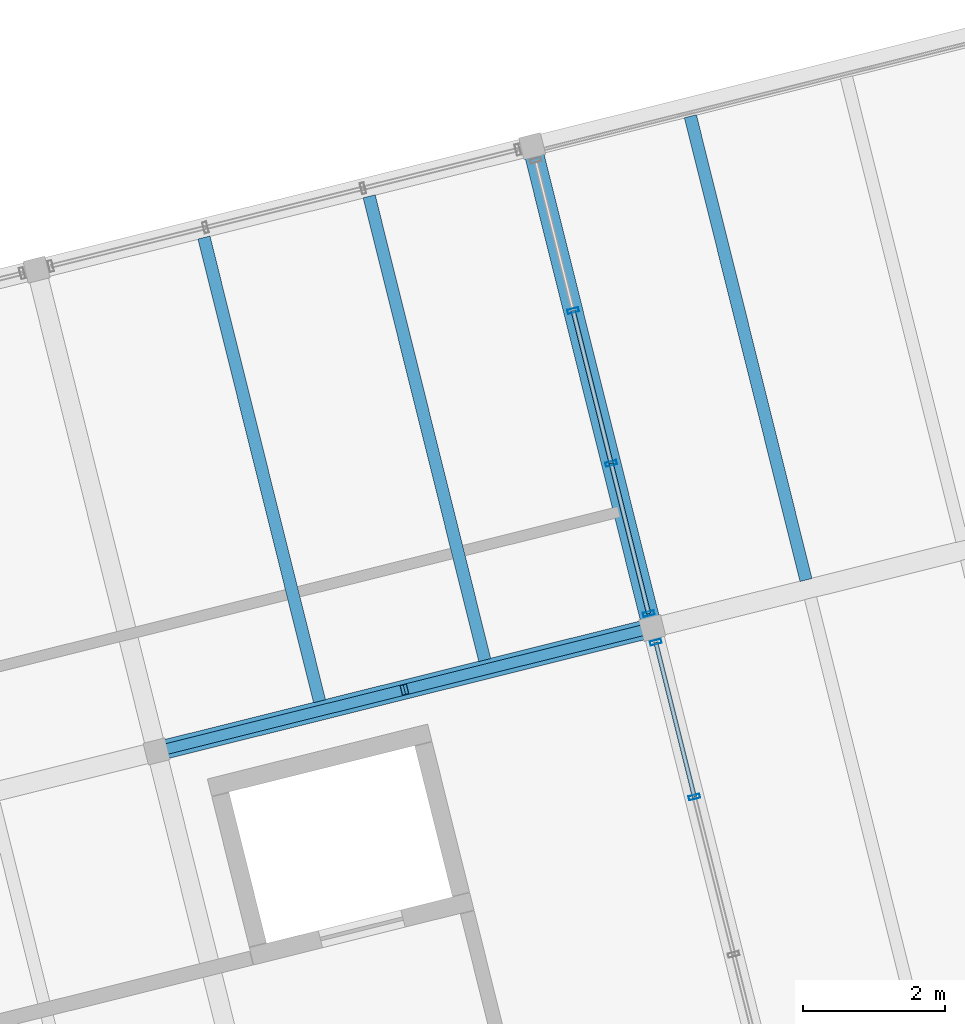
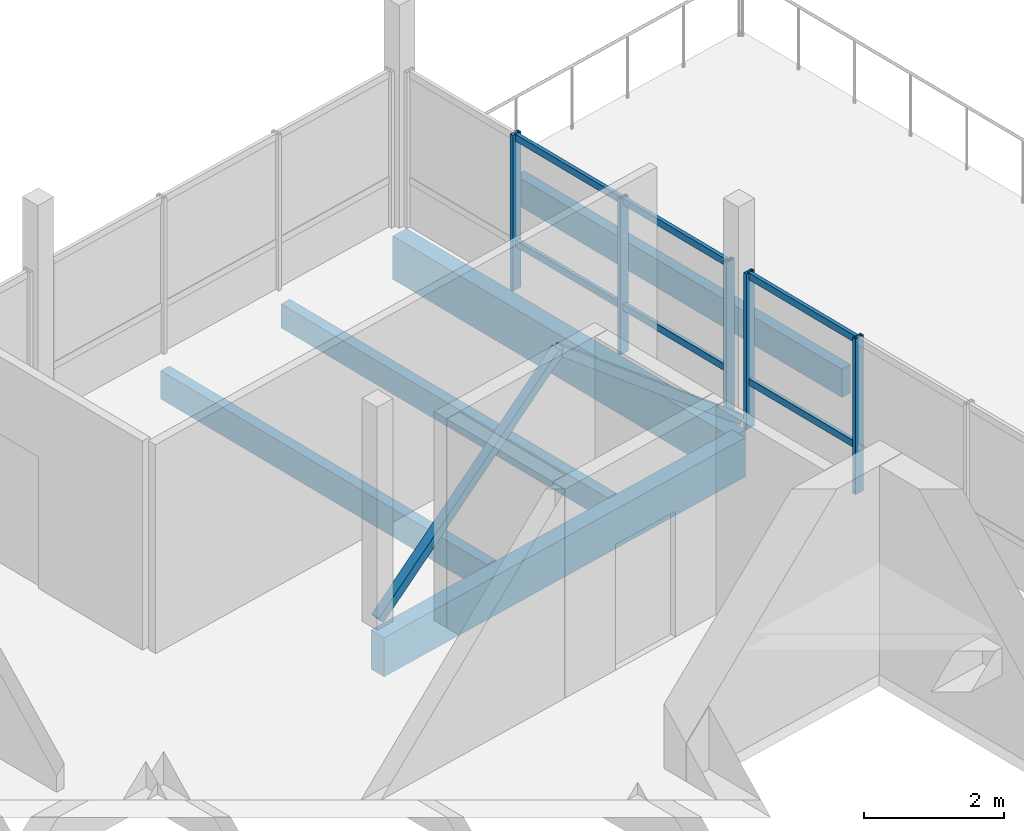
# One storey, part 16 of 24: 13 members, 5 beams, 2 elements without a shape of their own.
"""IFC4 building model written with IfcOpenShell, lengths in metres."""

from ifc_helpers import new_model, si_unit, direction, frame, origin, origin_2d, place, context, subcontext, project, spatial, rectangle, hollow_rectangle, extrude, material, layer, layer_set, material_profile, profile_set, type_object, element, aggregate, save


model = new_model("IFC4")

# Units and contexts
model_context = context("Model", 3, precision=1e-05, world=origin(), true_north=direction((0.0, 1.0)))
body_context = subcontext(model_context, "Body", "Model", "MODEL_VIEW")
ifc_project = project(units=[si_unit("LENGTHUNIT", "METRE"), si_unit("AREAUNIT", "SQUARE_METRE"), si_unit("VOLUMEUNIT", "CUBIC_METRE"), si_unit("PLANEANGLEUNIT", "RADIAN"), si_unit("MASSUNIT", "GRAM", prefix="KILO")], contexts=[model_context])

# Site, building, storey
site_placement = place(None, origin())
site = spatial("IfcSite", under=ifc_project, at=site_placement, CompositionType="ELEMENT")
building_placement = place(site_placement, origin())
building = spatial("IfcBuilding", under=site, at=building_placement, Name="Meriwether Solvik Hall", CompositionType="ELEMENT")
storey_placement = place(building_placement, frame((0.0, 0.0, 57.300048828125)))
storey = spatial("IfcBuildingStorey", under=building, at=storey_placement, Name="L14", CompositionType="ELEMENT", Elevation=57.300048828125)

# Beams
ifc_material_1 = material(Name="Glulam Douglas-Fir 24F-V8 GL28h", Category="wood")
ifc_material_profile_1 = material_profile(ifc_material_1, rectangle(XDim=0.27294921875, YDim=0.68505859375, at=origin_2d()), Name="GLB-273X685")
ifc_profile_set_1 = profile_set([ifc_material_profile_1], Name="Glulam Douglas-Fir 24F-V8 GL28h")
beam_type_1 = type_object("IfcBeamType", Name="BM-GL-273X685", PredefinedType="BEAM", material=ifc_profile_set_1)
beam_1_placement = place(storey_placement, frame((84.8662109375, 66.8984375, -0.5625), z_axis=(0.970291911955, 0.241937193493, 0.0), x_axis=(-0.241937193493, 0.970291911955, 0.0)))
element("IfcBeam", 1, at=beam_1_placement, inside=storey, type_object=beam_type_1, Name="Tower Girder TD:T4-T5 (L14)", PredefinedType="BEAM", context=body_context, shape_type="SweptSolid", body=[
    extrude(rectangle(XDim=0.27294921875, YDim=0.68505859375, at=origin_2d()), origin(), (0.0, 0.0, 1.0), 7.199951171875),
])
ifc_material_2 = material(Name="Glulam Douglas-Fir 24F-V8 GL28h", Category="wood")
ifc_material_profile_2 = material_profile(ifc_material_2, rectangle(XDim=0.27294921875, YDim=0.760009765625, at=origin_2d()), Name="GLB-273X760")
ifc_profile_set_2 = profile_set([ifc_material_profile_2], Name="Glulam Douglas-Fir 24F-V8 GL28h")
beam_type_2 = type_object("IfcBeamType", Name="BM-GL-273X760", PredefinedType="BEAM", material=ifc_profile_set_2)
beam_2_placement = place(storey_placement, frame((91.852294921875, 68.640380859375, -0.60009765625), z_axis=(-0.241911879182, 0.970298223594, 0.0), x_axis=(-0.970298223594, -0.241911879182, 0.0)))
element("IfcBeam", 2, at=beam_2_placement, inside=storey, type_object=beam_type_2, Name="Tower Girder T5:TD-TE (L14)", PredefinedType="BEAM", context=body_context, shape_type="SweptSolid", body=[
    extrude(rectangle(XDim=0.27294921875, YDim=0.760009765625, at=origin_2d()), origin(), (0.0, 0.0, 1.0), 7.0),
])

# Curtain wall, members
ifc_material_3 = material(Name="Thermally Broken Anodised Aluminium 6063-T6 and Low-E Glass", Category="aluminium")
ifc_layer_1 = layer(ifc_material_3, 0.179931640625)
ifc_layer_set_1 = layer_set([ifc_layer_1], Name="Thermally Broken Anodised Aluminium 6063-T6 and Low-E Glass")
curtain_wall_type_1 = type_object("IfcCurtainWallType", Name="CW-UNIT-A", PredefinedType="USERDEFINED", material=ifc_layer_set_1)
curtain_wall_1_placement = place(storey_placement, origin())
curtain_wall_1 = element("IfcCurtainWall", 3, at=curtain_wall_1_placement, inside=storey, type_object=curtain_wall_type_1, Name="Curtain Wall E1_B2 (L14)", ObjectType="UNITISED CURTAIN WALL", PredefinedType="USERDEFINED")
ifc_material_4 = material(Name="Anodised Aluminium 6063-T6", Category="aluminium")
ifc_material_profile_3 = material_profile(ifc_material_4, hollow_rectangle(XDim=0.06005859375, YDim=0.159912109375, WallThickness=0.00390625, at=origin_2d()), Name="CWM-60X160")
ifc_profile_set_3 = profile_set([ifc_material_profile_3], Name="Anodised Aluminium 6063-T6")
member_type_1 = type_object("IfcMemberType", Name="CW-MUL-60X160", PredefinedType="MULLION", material=ifc_profile_set_3)
member_1_placement = place(storey_placement, frame((91.902587890625, 68.43896484375, 0.0), z_axis=(0.0, 0.0, 1.0), x_axis=(0.241921877598, -0.970295730764, 0.0)))
member_1 = element("IfcMember", 4, at=member_1_placement, type_object=member_type_1, Name="Curtain Wall Mullion 1", PredefinedType="MULLION", context=body_context, shape_type="SweptSolid", body=[
    extrude(hollow_rectangle(XDim=0.06005859375, YDim=0.159912109375, WallThickness=0.00390625, at=origin_2d()), origin(), (0.0, 0.0, 1.0), 2.724853515625),
])
member_2_placement = place(storey_placement, frame((92.446533203125, 66.2568359375, 0.0), z_axis=(0.0, 0.0, 1.0), x_axis=(0.241921877598, -0.970295730764, 0.0)))
member_2 = element("IfcMember", 5, at=member_2_placement, type_object=member_type_1, Name="Curtain Wall Mullion 2", PredefinedType="MULLION", context=body_context, shape_type="SweptSolid", body=[
    extrude(hollow_rectangle(XDim=0.06005859375, YDim=0.159912109375, WallThickness=0.00390625, at=origin_2d()), origin(), (0.0, 0.0, 1.0), 2.724853515625),
])

ifc_material_5 = material(Name="Thermally Broken Anodised Aluminium 6063-T6 and Low-E Glass", Category="aluminium")
ifc_layer_2 = layer(ifc_material_5, 0.179931640625)
ifc_layer_set_2 = layer_set([ifc_layer_2], Name="Thermally Broken Anodised Aluminium 6063-T6 and Low-E Glass")
curtain_wall_type_2 = type_object("IfcCurtainWallType", Name="CW-UNIT-B", PredefinedType="USERDEFINED", material=ifc_layer_set_2)
curtain_wall_2_placement = place(storey_placement, origin())
curtain_wall_2 = element("IfcCurtainWall", 6, at=curtain_wall_2_placement, inside=storey, type_object=curtain_wall_type_2, Name="Curtain Wall E1_B3 (L14)", ObjectType="UNITISED CURTAIN WALL", PredefinedType="USERDEFINED")
member_3_placement = place(storey_placement, frame((90.737060546875, 73.113525390625, 0.0), z_axis=(0.0, 0.0, 1.0), x_axis=(0.241921925524, -0.970295718815, 0.0)))
member_3 = element("IfcMember", 7, at=member_3_placement, type_object=member_type_1, Name="Curtain Wall Mullion 2", PredefinedType="MULLION", context=body_context, shape_type="SweptSolid", body=[
    extrude(hollow_rectangle(XDim=0.06005859375, YDim=0.159912109375, WallThickness=0.00390625, at=origin_2d()), origin(), (0.0, 0.0, 1.0), 2.724853515625),
])
member_4_placement = place(storey_placement, frame((91.274169921875, 70.959228515625, 0.0), z_axis=(0.0, 0.0, 1.0), x_axis=(0.241921925524, -0.970295718815, 0.0)))
member_4 = element("IfcMember", 8, at=member_4_placement, type_object=member_type_1, Name="Curtain Wall Mullion 3", PredefinedType="MULLION", context=body_context, shape_type="SweptSolid", body=[
    extrude(hollow_rectangle(XDim=0.06005859375, YDim=0.159912109375, WallThickness=0.00390625, at=origin_2d()), origin(), (0.0, 0.0, 1.0), 2.724853515625),
])
member_5_placement = place(storey_placement, frame((91.802001953125, 68.841552734375, 0.0), z_axis=(0.0, 0.0, 1.0), x_axis=(0.241921925524, -0.970295718815, 0.0)))
member_5 = element("IfcMember", 9, at=member_5_placement, type_object=member_type_1, Name="Curtain Wall Mullion 4", PredefinedType="MULLION", context=body_context, shape_type="SweptSolid", body=[
    extrude(hollow_rectangle(XDim=0.06005859375, YDim=0.159912109375, WallThickness=0.00390625, at=origin_2d()), origin(), (0.0, 0.0, 1.0), 2.724853515625),
])

# Member
ifc_material_6 = material(Name="Anodised Aluminium 6063-T6", Category="aluminium")
ifc_material_profile_4 = material_profile(ifc_material_6, hollow_rectangle(XDim=0.06005859375, YDim=0.1201171875, WallThickness=0.00390625, at=origin_2d()), Name="CWT-60X120")
ifc_profile_set_4 = profile_set([ifc_material_profile_4], Name="Anodised Aluminium 6063-T6")
member_type_2 = type_object("IfcMemberType", Name="CW-TRN-60X120", PredefinedType="USERDEFINED", material=ifc_profile_set_4)
member_6_placement = place(storey_placement, frame((91.902587890625, 68.43896484375, 0.8173828125), z_axis=(0.241871437108, -0.970308305597, 0.0), x_axis=(0.970308305597, 0.241871437108, 0.0)))
member_6 = element("IfcMember", 10, at=member_6_placement, type_object=member_type_2, Name="Curtain Wall Transom 1-sill", ObjectType="TRANSOM", PredefinedType="USERDEFINED", context=body_context, shape_type="SweptSolid", body=[
    extrude(hollow_rectangle(XDim=0.06005859375, YDim=0.1201171875, WallThickness=0.00390625, at=origin_2d()), origin(), (0.0, 0.0, 1.0), 2.2490234375),
])

member_7_placement = place(storey_placement, frame((91.902587890625, 68.43896484375, 2.6650390625), z_axis=(0.241871437108, -0.970308305597, 0.0), x_axis=(0.970308305597, 0.241871437108, 0.0)))
member_7 = element("IfcMember", 11, at=member_7_placement, type_object=member_type_2, Name="Curtain Wall Transom 1-head", ObjectType="TRANSOM", PredefinedType="USERDEFINED", context=body_context, shape_type="SweptSolid", body=[
    extrude(hollow_rectangle(XDim=0.06005859375, YDim=0.1201171875, WallThickness=0.00390625, at=origin_2d()), origin(), (0.0, 0.0, 1.0), 2.2490234375),
])

aggregate(curtain_wall_1, [member_1, member_2, member_6, member_7])

member_8_placement = place(storey_placement, frame((90.737060546875, 73.113525390625, 0.8173828125), z_axis=(0.241914618046, -0.970297540745, 0.0), x_axis=(0.970297540745, 0.241914618046, 0.0)))
member_8 = element("IfcMember", 12, at=member_8_placement, type_object=member_type_2, Name="Curtain Wall Transom 2-sill", ObjectType="TRANSOM", PredefinedType="USERDEFINED", context=body_context, shape_type="SweptSolid", body=[
    extrude(hollow_rectangle(XDim=0.06005859375, YDim=0.1201171875, WallThickness=0.00390625, at=origin_2d()), origin(), (0.0, 0.0, 1.0), 2.22021484375),
])

member_9_placement = place(storey_placement, frame((90.737060546875, 73.113525390625, 2.6650390625), z_axis=(0.241914618046, -0.970297540745, 0.0), x_axis=(0.970297540745, 0.241914618046, 0.0)))
member_9 = element("IfcMember", 13, at=member_9_placement, type_object=member_type_2, Name="Curtain Wall Transom 2-head", ObjectType="TRANSOM", PredefinedType="USERDEFINED", context=body_context, shape_type="SweptSolid", body=[
    extrude(hollow_rectangle(XDim=0.06005859375, YDim=0.1201171875, WallThickness=0.00390625, at=origin_2d()), origin(), (0.0, 0.0, 1.0), 2.22021484375),
])

member_10_placement = place(storey_placement, frame((91.274169921875, 70.959228515625, 0.8173828125), z_axis=(0.241851216689, -0.970313345773, 0.0), x_axis=(0.970313345773, 0.241851216689, 0.0)))
member_10 = element("IfcMember", 14, at=member_10_placement, type_object=member_type_2, Name="Curtain Wall Transom 3-sill", ObjectType="TRANSOM", PredefinedType="USERDEFINED", context=body_context, shape_type="SweptSolid", body=[
    extrude(hollow_rectangle(XDim=0.06005859375, YDim=0.1201171875, WallThickness=0.00390625, at=origin_2d()), origin(), (0.0, 0.0, 1.0), 2.182373046875),
])

member_11_placement = place(storey_placement, frame((91.274169921875, 70.959228515625, 2.6650390625), z_axis=(0.241851216689, -0.970313345773, 0.0), x_axis=(0.970313345773, 0.241851216689, 0.0)))
member_11 = element("IfcMember", 15, at=member_11_placement, type_object=member_type_2, Name="Curtain Wall Transom 3-head", ObjectType="TRANSOM", PredefinedType="USERDEFINED", context=body_context, shape_type="SweptSolid", body=[
    extrude(hollow_rectangle(XDim=0.06005859375, YDim=0.1201171875, WallThickness=0.00390625, at=origin_2d()), origin(), (0.0, 0.0, 1.0), 2.182373046875),
])

aggregate(curtain_wall_2, [member_3, member_4, member_5, member_8, member_9, member_10, member_11])

# Beams
ifc_material_7 = material(Name="Glulam Douglas-Fir 24F-V8 GL28h", Category="wood")
ifc_material_profile_5 = material_profile(ifc_material_7, rectangle(XDim=0.175048828125, YDim=0.419921875, at=origin_2d()), Name="GLJ-175X420")
ifc_profile_set_5 = profile_set([ifc_material_profile_5], Name="Glulam Douglas-Fir 24F-V8 GL28h")
beam_type_3 = type_object("IfcBeamType", Name="JST-GL-175X420", PredefinedType="JOIST", material=ifc_profile_set_5)
beam_3_placement = place(storey_placement, frame((89.49169921875, 68.187255859375, -0.41015625), z_axis=(-0.241930176813, 0.9702936615, 0.0), x_axis=(-0.9702936615, -0.241930176813, 0.0)))
element("IfcBeam", 16, at=beam_3_placement, inside=storey, type_object=beam_type_3, Name="Glulam Floor Joist T4/TD-J2 (L14)", PredefinedType="JOIST", context=body_context, shape_type="SweptSolid", body=[
    extrude(rectangle(XDim=0.175048828125, YDim=0.419921875, at=origin_2d()), origin(), (0.0, 0.0, 1.0), 6.737060546875),
])
ifc_material_8 = material(Name="Glulam Douglas-Fir 24F-V8 GL28h", Category="wood")
ifc_material_profile_6 = material_profile(ifc_material_8, rectangle(XDim=0.175048828125, YDim=0.4951171875, at=origin_2d()), Name="GLJ-175X495")
ifc_profile_set_6 = profile_set([ifc_material_profile_6], Name="Glulam Douglas-Fir 24F-V8 GL28h")
beam_type_4 = type_object("IfcBeamType", Name="JST-GL-175X495", PredefinedType="JOIST", material=ifc_profile_set_6)
for number, where, z_axis, x_axis, name in (
    (17, (87.1630859375, 67.606689453125, -0.447509765625), (-0.241930176813, 0.9702936615, 0.0), (-0.9702936615, -0.241930176813, 0.0), "Glulam Floor Joist T4/TD-J1 (L14)"),
    (18, (94.019775390625, 69.31640625, -0.467529296875), (-0.241930176813, 0.9702936615, 0.0), (-0.9702936615, -0.241930176813, 0.0), "Glulam Floor Joist T5/TD-J1 (L14)"),
):
    element("IfcBeam", number, at=place(storey_placement, frame(where, z_axis=z_axis, x_axis=x_axis)), inside=storey, type_object=beam_type_4, Name=name, PredefinedType="JOIST", context=body_context, shape_type="SweptSolid", body=[
        extrude(rectangle(XDim=0.175048828125, YDim=0.4951171875, at=origin_2d()), origin(), (0.0, 0.0, 1.0), 6.737060546875),
    ])

# Members
ifc_material_9 = material(Name="Steel A500 Grade C", Category="steel")
ifc_material_profile_7 = material_profile(ifc_material_9, hollow_rectangle(XDim=0.152099609375, YDim=0.152099609375, WallThickness=0.009521484375, at=origin_2d()), Name="HSS152X152X9.5")
ifc_profile_set_7 = profile_set([ifc_material_profile_7], Name="Steel A500 Grade C")
member_type_3 = type_object("IfcMemberType", Name="MEM-BR-HSS152", PredefinedType="BRACE", material=ifc_profile_set_7)
for number, where, z_axis, x_axis, name in (
    (19, (84.8662109375, 66.8984375, 0.050048828125), (0.749466273209, 0.186908203174, 0.635110721771), (-0.241977078005, 0.97028196609, 0.0), "Tower Chevron Brace L14-B4A"),
    (20, (91.852294921875, 68.640380859375, 0.050048828125), (-0.749496568871, -0.186850311795, 0.635092004542), (0.241897310542, -0.970301855688, 0.0), "Tower Chevron Brace L14-B4B"),
):
    element("IfcMember", number, at=place(storey_placement, frame(where, z_axis=z_axis, x_axis=x_axis)), inside=storey, type_object=member_type_3, Name=name, PredefinedType="BRACE", context=body_context, shape_type="SweptSolid", body=[
        extrude(hollow_rectangle(XDim=0.152099609375, YDim=0.152099609375, WallThickness=0.009521484375, at=origin_2d()), origin(), (0.0, 0.0, 1.0), 4.66064453125),
    ])

save(model, "model.ifc")
